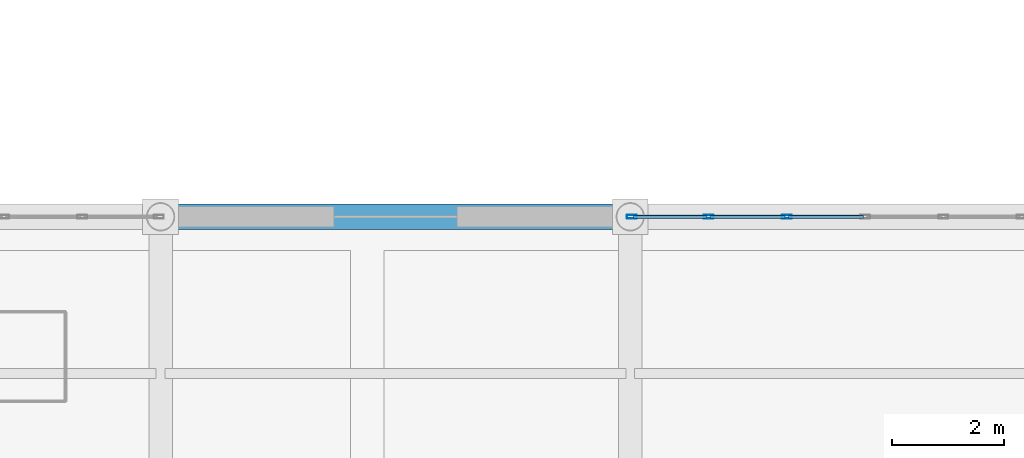
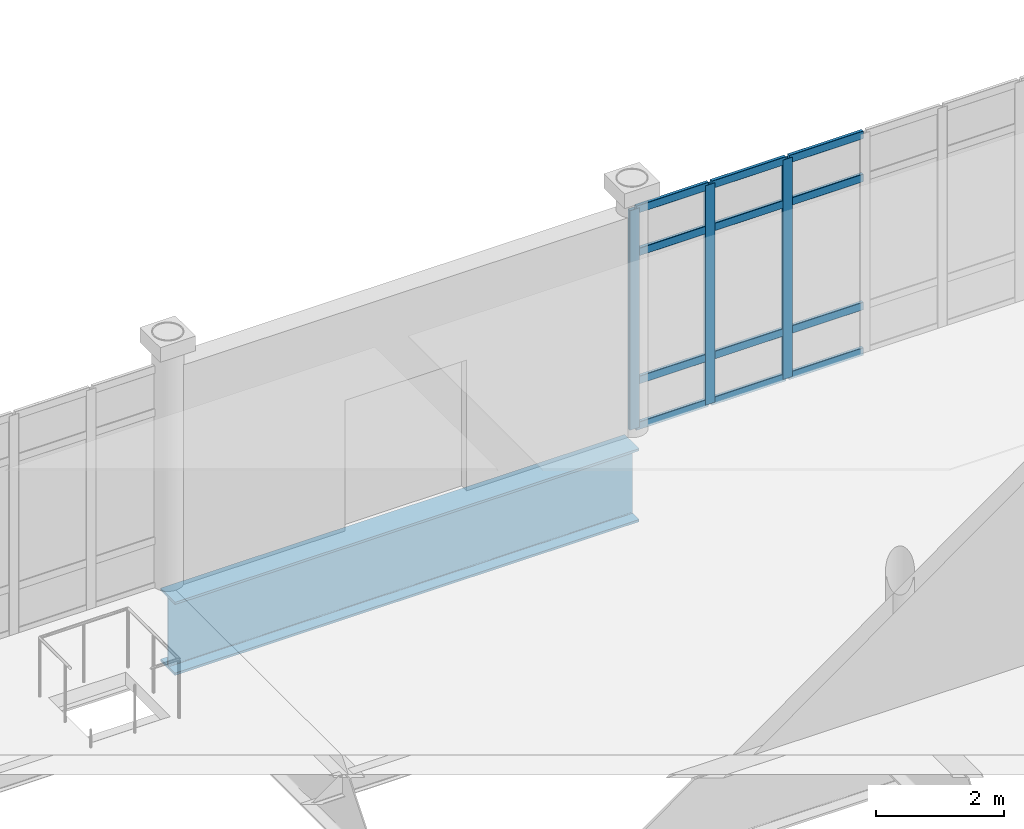
# One storey, part 54 of 145: 15 members, 1 beam, 1 element without a shape of its own.
"""IFC4 building model written with IfcOpenShell, lengths in metres."""

from ifc_helpers import new_model, si_unit, direction, frame, origin, origin_2d, place, context, subcontext, project, spatial, hollow_rectangle, i_section, extrude, material, layer, layer_set, material_profile, profile_set, type_object, element, aggregate, save


model = new_model("IFC4")

# Units and contexts
model_context = context("Model", 3, precision=1e-05, world=origin(), true_north=direction((0.0, 1.0)))
body_context = subcontext(model_context, "Body", "Model", "MODEL_VIEW")
ifc_project = project(units=[si_unit("LENGTHUNIT", "METRE"), si_unit("AREAUNIT", "SQUARE_METRE"), si_unit("VOLUMEUNIT", "CUBIC_METRE"), si_unit("PLANEANGLEUNIT", "RADIAN"), si_unit("MASSUNIT", "GRAM", prefix="KILO")], contexts=[model_context])

# Site, building, storey
site_placement = place(None, origin())
site = spatial("IfcSite", under=ifc_project, at=site_placement, CompositionType="ELEMENT")
building_placement = place(site_placement, origin())
building = spatial("IfcBuilding", under=site, at=building_placement, Name="Qalvenar Corner Mobility Hub", CompositionType="ELEMENT")
storey_placement = place(building_placement, origin())
storey = spatial("IfcBuildingStorey", under=building, at=storey_placement, Name="L00", CompositionType="ELEMENT", Elevation=0.0)

# Beam
ifc_material_1 = material(Name="Steel S355", Category="steel")
ifc_material_profile_1 = material_profile(ifc_material_1, i_section(OverallWidth=0.449951171875, OverallDepth=1.39990234375, WebThickness=0.02587890625, FlangeThickness=0.0439453125, FilletRadius=0.02392578125, at=origin_2d()), Name="W1100x499-TG1400")
ifc_profile_set_1 = profile_set([ifc_material_profile_1], Name="Steel S355")
beam_type = type_object("IfcBeamType", Name="BM-TG1400", PredefinedType="T_BEAM", material=ifc_profile_set_1)
beam_placement = place(storey_placement, frame((75.60009765625, 33.60009765625, -0.949951171875), z_axis=(1.0, 0.0, 0.0), x_axis=(0.0, 1.0, 0.0)))
element("IfcBeam", 1, at=beam_placement, inside=storey, type_object=beam_type, Name="Transfer Girder TG-0160", PredefinedType="T_BEAM", context=body_context, shape_type="SweptSolid", body=[
    extrude(i_section(OverallWidth=0.449951171875, OverallDepth=1.39990234375, WebThickness=0.02587890625, FlangeThickness=0.0439453125, FilletRadius=0.02392578125, at=origin_2d()), origin(), (0.0, 0.0, 1.0), 8.39990234375),
])

# Curtain wall, members
ifc_material_2 = material(Name="Anodised Aluminium and Low-E Glazing", Category="aluminium")
ifc_layer = layer(ifc_material_2, 0.179931640625)
ifc_layer_set = layer_set([ifc_layer], Name="Anodised Aluminium and Low-E Glazing")
curtain_wall_type = type_object("IfcCurtainWallType", Name="CW-CONC-84X48", PredefinedType="NOTDEFINED", material=ifc_layer_set)
curtain_wall_placement = place(storey_placement, origin())
curtain_wall = element("IfcCurtainWall", 2, at=curtain_wall_placement, inside=storey, type_object=curtain_wall_type, Name="Glazed Curtain Wall CW-V1-L00-N4", PredefinedType="NOTDEFINED")
ifc_material_3 = material(Name="Anodised Aluminium 6063-T6", Category="aluminium")
ifc_material_profile_2 = material_profile(ifc_material_3, hollow_rectangle(XDim=0.06494140625, YDim=0.179931640625, WallThickness=0.00390625, InnerFilletRadius=0.00390625, OuterFilletRadius=0.008056640625, at=origin_2d()), Name="RHS180x65x4")
ifc_profile_set_2 = profile_set([ifc_material_profile_2], Name="Anodised Aluminium 6063-T6")
member_type_1 = type_object("IfcMemberType", Name="CW-MUL180", PredefinedType="MULLION", material=ifc_profile_set_2)
member_1_placement = place(storey_placement, frame((86.800048828125, 33.60009765625, 0.0), z_axis=(0.0, 0.0, 1.0), x_axis=(0.0, -1.0, 0.0)))
member_1 = element("IfcMember", 3, at=member_1_placement, type_object=member_type_1, Name="CW-01 mullion 5", PredefinedType="MULLION", context=body_context, shape_type="SweptSolid", body=[
    extrude(hollow_rectangle(XDim=0.06494140625, YDim=0.179931640625, WallThickness=0.00390625, InnerFilletRadius=0.00390625, OuterFilletRadius=0.008056640625, at=origin_2d()), origin(), (0.0, 0.0, 1.0), 4.199951171875),
])
member_2_placement = place(storey_placement, frame((85.39990234375, 33.60009765625, 0.0), z_axis=(0.0, 0.0, 1.0), x_axis=(0.0, -1.0, 0.0)))
member_2 = element("IfcMember", 4, at=member_2_placement, type_object=member_type_1, Name="CW-01 mullion 6", PredefinedType="MULLION", context=body_context, shape_type="SweptSolid", body=[
    extrude(hollow_rectangle(XDim=0.06494140625, YDim=0.179931640625, WallThickness=0.00390625, InnerFilletRadius=0.00390625, OuterFilletRadius=0.008056640625, at=origin_2d()), origin(), (0.0, 0.0, 1.0), 4.199951171875),
])
member_3_placement = place(storey_placement, frame((84.030029296875, 33.60009765625, 0.0), z_axis=(0.0, 0.0, 1.0), x_axis=(0.0, -1.0, 0.0)))
member_3 = element("IfcMember", 5, at=member_3_placement, type_object=member_type_1, Name="CW-01 mullion 7", PredefinedType="MULLION", context=body_context, shape_type="SweptSolid", body=[
    extrude(hollow_rectangle(XDim=0.06494140625, YDim=0.179931640625, WallThickness=0.00390625, InnerFilletRadius=0.00390625, OuterFilletRadius=0.008056640625, at=origin_2d()), origin(), (0.0, 0.0, 1.0), 4.199951171875),
])
ifc_material_profile_3 = material_profile(ifc_material_3, hollow_rectangle(XDim=0.06005859375, YDim=0.14990234375, WallThickness=0.00341796875, InnerFilletRadius=0.00341796875, OuterFilletRadius=0.007080078125, at=origin_2d()), Name="RHS150x60x3.5")
ifc_profile_set_3 = profile_set([ifc_material_profile_3], Name="Anodised Aluminium 6063-T6")
member_type_2 = type_object("IfcMemberType", Name="CW-TRN150", PredefinedType="USERDEFINED", material=ifc_profile_set_3)
member_4_placement = place(storey_placement, frame((88.169921875, 33.60009765625, 0.027587890625), z_axis=(-1.0, 0.0, 0.0), x_axis=(0.0, -1.0, 0.0)))
member_4 = element("IfcMember", 6, at=member_4_placement, type_object=member_type_2, Name="CW-01 transom 4.1", ObjectType="TRANSOM", PredefinedType="USERDEFINED", context=body_context, shape_type="SweptSolid", body=[
    extrude(hollow_rectangle(XDim=0.06005859375, YDim=0.14990234375, WallThickness=0.00341796875, InnerFilletRadius=0.00341796875, OuterFilletRadius=0.007080078125, at=origin_2d()), origin(), (0.0, 0.0, 1.0), 1.33984375),
])
member_5_placement = place(storey_placement, frame((88.169921875, 33.60009765625, 0.89990234375), z_axis=(-1.0, 0.0, 0.0), x_axis=(0.0, -1.0, 0.0)))
member_5 = element("IfcMember", 7, at=member_5_placement, type_object=member_type_2, Name="CW-01 transom 4.2", ObjectType="TRANSOM", PredefinedType="USERDEFINED", context=body_context, shape_type="SweptSolid", body=[
    extrude(hollow_rectangle(XDim=0.06005859375, YDim=0.14990234375, WallThickness=0.00341796875, InnerFilletRadius=0.00341796875, OuterFilletRadius=0.007080078125, at=origin_2d()), origin(), (0.0, 0.0, 1.0), 1.33984375),
])
member_6_placement = place(storey_placement, frame((88.169921875, 33.60009765625, 3.35009765625), z_axis=(-1.0, 0.0, 0.0), x_axis=(0.0, -1.0, 0.0)))
member_6 = element("IfcMember", 8, at=member_6_placement, type_object=member_type_2, Name="CW-01 transom 4.3", ObjectType="TRANSOM", PredefinedType="USERDEFINED", context=body_context, shape_type="SweptSolid", body=[
    extrude(hollow_rectangle(XDim=0.06005859375, YDim=0.14990234375, WallThickness=0.00341796875, InnerFilletRadius=0.00341796875, OuterFilletRadius=0.007080078125, at=origin_2d()), origin(), (0.0, 0.0, 1.0), 1.33984375),
])
member_7_placement = place(storey_placement, frame((88.169921875, 33.60009765625, 4.172607421875), z_axis=(-1.0, 0.0, 0.0), x_axis=(0.0, -1.0, 0.0)))
member_7 = element("IfcMember", 9, at=member_7_placement, type_object=member_type_2, Name="CW-01 transom 4.4", ObjectType="TRANSOM", PredefinedType="USERDEFINED", context=body_context, shape_type="SweptSolid", body=[
    extrude(hollow_rectangle(XDim=0.06005859375, YDim=0.14990234375, WallThickness=0.00341796875, InnerFilletRadius=0.00341796875, OuterFilletRadius=0.007080078125, at=origin_2d()), origin(), (0.0, 0.0, 1.0), 1.33984375),
])
member_8_placement = place(storey_placement, frame((86.77001953125, 33.60009765625, 0.027587890625), z_axis=(-1.0, 0.0, 0.0), x_axis=(0.0, -1.0, 0.0)))
member_8 = element("IfcMember", 10, at=member_8_placement, type_object=member_type_2, Name="CW-01 transom 5.1", ObjectType="TRANSOM", PredefinedType="USERDEFINED", context=body_context, shape_type="SweptSolid", body=[
    extrude(hollow_rectangle(XDim=0.06005859375, YDim=0.14990234375, WallThickness=0.00341796875, InnerFilletRadius=0.00341796875, OuterFilletRadius=0.007080078125, at=origin_2d()), origin(), (0.0, 0.0, 1.0), 1.340087890625),
])
member_9_placement = place(storey_placement, frame((86.77001953125, 33.60009765625, 0.89990234375), z_axis=(-1.0, 0.0, 0.0), x_axis=(0.0, -1.0, 0.0)))
member_9 = element("IfcMember", 11, at=member_9_placement, type_object=member_type_2, Name="CW-01 transom 5.2", ObjectType="TRANSOM", PredefinedType="USERDEFINED", context=body_context, shape_type="SweptSolid", body=[
    extrude(hollow_rectangle(XDim=0.06005859375, YDim=0.14990234375, WallThickness=0.00341796875, InnerFilletRadius=0.00341796875, OuterFilletRadius=0.007080078125, at=origin_2d()), origin(), (0.0, 0.0, 1.0), 1.340087890625),
])
member_10_placement = place(storey_placement, frame((86.77001953125, 33.60009765625, 3.35009765625), z_axis=(-1.0, 0.0, 0.0), x_axis=(0.0, -1.0, 0.0)))
member_10 = element("IfcMember", 12, at=member_10_placement, type_object=member_type_2, Name="CW-01 transom 5.3", ObjectType="TRANSOM", PredefinedType="USERDEFINED", context=body_context, shape_type="SweptSolid", body=[
    extrude(hollow_rectangle(XDim=0.06005859375, YDim=0.14990234375, WallThickness=0.00341796875, InnerFilletRadius=0.00341796875, OuterFilletRadius=0.007080078125, at=origin_2d()), origin(), (0.0, 0.0, 1.0), 1.340087890625),
])
member_11_placement = place(storey_placement, frame((86.77001953125, 33.60009765625, 4.172607421875), z_axis=(-1.0, 0.0, 0.0), x_axis=(0.0, -1.0, 0.0)))
member_11 = element("IfcMember", 13, at=member_11_placement, type_object=member_type_2, Name="CW-01 transom 5.4", ObjectType="TRANSOM", PredefinedType="USERDEFINED", context=body_context, shape_type="SweptSolid", body=[
    extrude(hollow_rectangle(XDim=0.06005859375, YDim=0.14990234375, WallThickness=0.00341796875, InnerFilletRadius=0.00341796875, OuterFilletRadius=0.007080078125, at=origin_2d()), origin(), (0.0, 0.0, 1.0), 1.340087890625),
])
member_12_placement = place(storey_placement, frame((85.3701171875, 33.60009765625, 0.027587890625), z_axis=(-1.0, 0.0, 0.0), x_axis=(0.0, -1.0, 0.0)))
member_12 = element("IfcMember", 14, at=member_12_placement, type_object=member_type_2, Name="CW-01 transom 6.1", ObjectType="TRANSOM", PredefinedType="USERDEFINED", context=body_context, shape_type="SweptSolid", body=[
    extrude(hollow_rectangle(XDim=0.06005859375, YDim=0.14990234375, WallThickness=0.00341796875, InnerFilletRadius=0.00341796875, OuterFilletRadius=0.007080078125, at=origin_2d()), origin(), (0.0, 0.0, 1.0), 1.31005859375),
])
member_13_placement = place(storey_placement, frame((85.3701171875, 33.60009765625, 0.89990234375), z_axis=(-1.0, 0.0, 0.0), x_axis=(0.0, -1.0, 0.0)))
member_13 = element("IfcMember", 15, at=member_13_placement, type_object=member_type_2, Name="CW-01 transom 6.2", ObjectType="TRANSOM", PredefinedType="USERDEFINED", context=body_context, shape_type="SweptSolid", body=[
    extrude(hollow_rectangle(XDim=0.06005859375, YDim=0.14990234375, WallThickness=0.00341796875, InnerFilletRadius=0.00341796875, OuterFilletRadius=0.007080078125, at=origin_2d()), origin(), (0.0, 0.0, 1.0), 1.31005859375),
])
member_14_placement = place(storey_placement, frame((85.3701171875, 33.60009765625, 3.35009765625), z_axis=(-1.0, 0.0, 0.0), x_axis=(0.0, -1.0, 0.0)))
member_14 = element("IfcMember", 16, at=member_14_placement, type_object=member_type_2, Name="CW-01 transom 6.3", ObjectType="TRANSOM", PredefinedType="USERDEFINED", context=body_context, shape_type="SweptSolid", body=[
    extrude(hollow_rectangle(XDim=0.06005859375, YDim=0.14990234375, WallThickness=0.00341796875, InnerFilletRadius=0.00341796875, OuterFilletRadius=0.007080078125, at=origin_2d()), origin(), (0.0, 0.0, 1.0), 1.31005859375),
])
member_15_placement = place(storey_placement, frame((85.3701171875, 33.60009765625, 4.172607421875), z_axis=(-1.0, 0.0, 0.0), x_axis=(0.0, -1.0, 0.0)))
member_15 = element("IfcMember", 17, at=member_15_placement, type_object=member_type_2, Name="CW-01 transom 6.4", ObjectType="TRANSOM", PredefinedType="USERDEFINED", context=body_context, shape_type="SweptSolid", body=[
    extrude(hollow_rectangle(XDim=0.06005859375, YDim=0.14990234375, WallThickness=0.00341796875, InnerFilletRadius=0.00341796875, OuterFilletRadius=0.007080078125, at=origin_2d()), origin(), (0.0, 0.0, 1.0), 1.31005859375),
])
aggregate(curtain_wall, [member_1, member_2, member_3, member_4, member_5, member_6, member_7, member_8, member_9, member_10, member_11, member_12, member_13, member_14, member_15])

save(model, "model.ifc")
